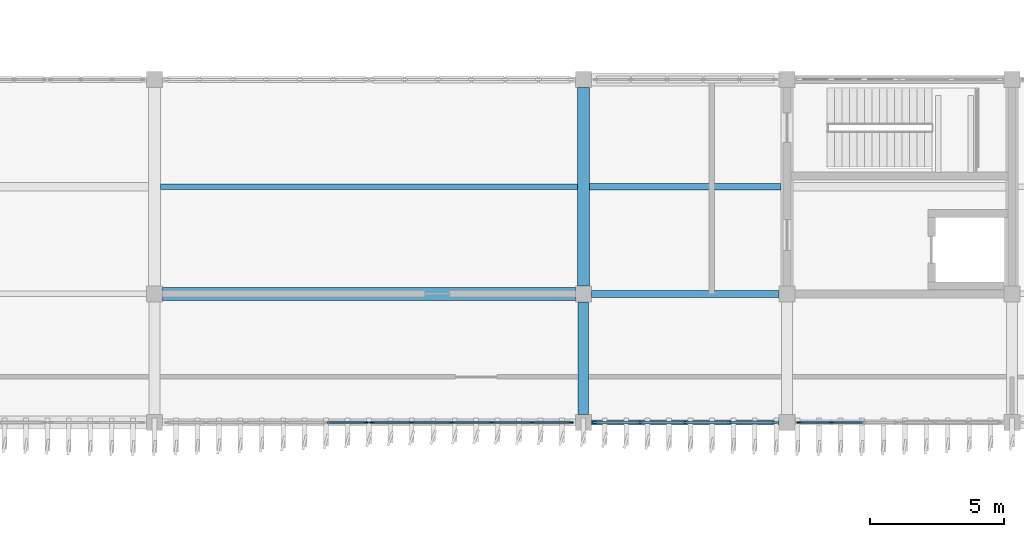
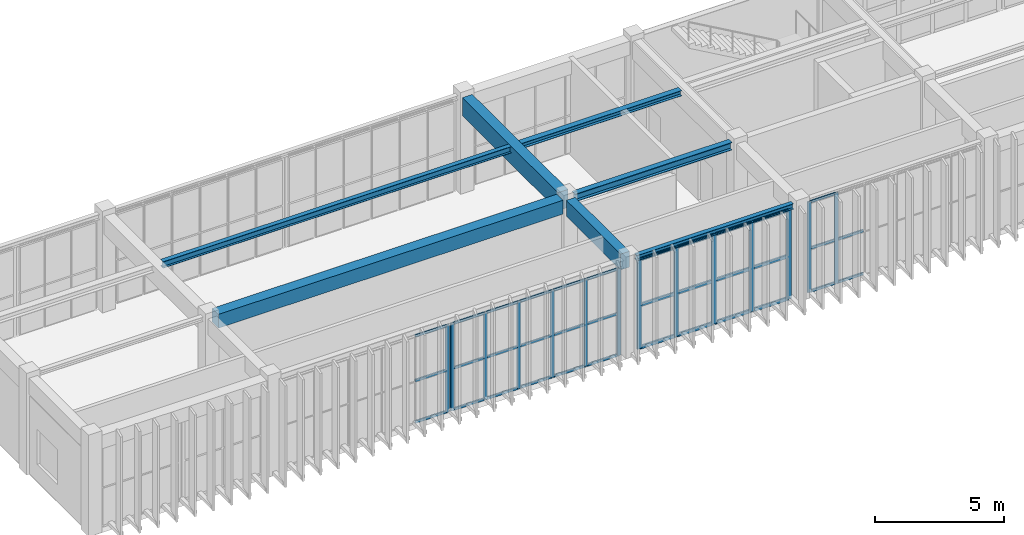
# One storey, part 12 of 64: 49 members, 7 beams, 4 elements without a shape of their own.
"""IFC4 building model written with IfcOpenShell, lengths in metres."""

from ifc_helpers import new_model, si_unit, direction, frame, origin, origin_2d, place, context, subcontext, project, spatial, rectangle, i_section, extrude, material, layer, layer_set, material_profile, profile_set, type_object, element, aggregate, save


model = new_model("IFC4")

# Units and contexts
model_context = context("Model", 3, precision=1e-05, world=origin(), true_north=direction((0.0, 1.0)))
body_context = subcontext(model_context, "Body", "Model", "MODEL_VIEW")
ifc_project = project(units=[si_unit("LENGTHUNIT", "METRE"), si_unit("AREAUNIT", "SQUARE_METRE"), si_unit("VOLUMEUNIT", "CUBIC_METRE"), si_unit("PLANEANGLEUNIT", "RADIAN"), si_unit("MASSUNIT", "GRAM", prefix="KILO")], contexts=[model_context])

# Site, building, storey
site_placement = place(None, origin())
site = spatial("IfcSite", under=ifc_project, at=site_placement, CompositionType="ELEMENT")
building_placement = place(site_placement, origin())
building = spatial("IfcBuilding", under=site, at=building_placement, Name="Cinchona Park Media Centre", CompositionType="ELEMENT")
storey_placement = place(building_placement, frame((0.0, 0.0, 5.39990234375)))
storey = spatial("IfcBuildingStorey", under=building, at=storey_placement, Name="L01", CompositionType="ELEMENT", Elevation=5.39990234375)

# Beams
ifc_material_1 = material(Name="Concrete C35/45", Category="concrete")
ifc_material_profile_1 = material_profile(ifc_material_1, rectangle(XDim=0.39990234375, YDim=0.75, at=origin_2d()), Name="RB 400X750")
ifc_profile_set_1 = profile_set([ifc_material_profile_1], Name="Concrete C35/45")
beam_type_1 = type_object("IfcBeamType", Name="BEAM-B01-RB400X750", PredefinedType="BEAM", material=ifc_profile_set_1)
beam_1_placement = place(storey_placement, frame((78.800048828125, 75.10009765625, 4.1650390625), z_axis=(0.0, 1.0, 0.0), x_axis=(-1.0, 0.0, 0.0)))
element("IfcBeam", 1, at=beam_1_placement, inside=storey, type_object=beam_type_1, Name="Girder B01 L01", PredefinedType="BEAM", context=body_context, shape_type="SweptSolid", body=[
    extrude(rectangle(XDim=0.39990234375, YDim=0.75, at=origin_2d()), origin(), (0.0, 0.0, 1.0), 4.199951171875),
])
ifc_material_2 = material(Name="Concrete C35/45", Category="concrete")
ifc_material_profile_2 = material_profile(ifc_material_2, rectangle(XDim=0.449951171875, YDim=0.85009765625, at=origin_2d()), Name="RB 450X850")
ifc_profile_set_2 = profile_set([ifc_material_profile_2], Name="Concrete C35/45")
beam_type_2 = type_object("IfcBeamType", Name="BEAM-B02-RB450X850", PredefinedType="BEAM", material=ifc_profile_set_2)
beam_2_placement = place(storey_placement, frame((78.800048828125, 79.89990234375, 4.114990234375), z_axis=(0.0, 1.0, 0.0), x_axis=(-1.0, 0.0, 0.0)))
element("IfcBeam", 2, at=beam_2_placement, inside=storey, type_object=beam_type_2, Name="Girder B02 L01", PredefinedType="BEAM", context=body_context, shape_type="SweptSolid", body=[
    extrude(rectangle(XDim=0.449951171875, YDim=0.85009765625, at=origin_2d()), origin(), (0.0, 0.0, 1.0), 7.400146484375),
])
ifc_material_3 = material(Name="Concrete C40/50", Category="concrete")
ifc_material_profile_3 = material_profile(ifc_material_3, rectangle(XDim=0.47998046875, YDim=0.64990234375, at=origin_2d()), Name="RB 480X650")
ifc_profile_set_3 = profile_set([ifc_material_profile_3], Name="Concrete C40/50")
beam_type_3 = type_object("IfcBeamType", Name="BEAM-B07-RB480X650", PredefinedType="BEAM", material=ifc_profile_set_3)
beam_3_placement = place(storey_placement, frame((63.10009765625, 79.60009765625, 4.215087890625), z_axis=(1.0, 0.0, 0.0), x_axis=(0.0, 1.0, 0.0)))
element("IfcBeam", 3, at=beam_3_placement, inside=storey, type_object=beam_type_3, Name="Beam B07 L01", PredefinedType="BEAM", context=body_context, shape_type="SweptSolid", body=[
    extrude(rectangle(XDim=0.47998046875, YDim=0.64990234375, at=origin_2d()), origin(), (0.0, 0.0, 1.0), 15.39990234375),
])
ifc_material_4 = material(Name="Steel S355", Category="steel")
ifc_material_profile_4 = material_profile(ifc_material_4, i_section(OverallWidth=0.257080078125, OverallDepth=0.363037109375, WebThickness=0.012939453125, FlangeThickness=0.021728515625, at=origin_2d()), Name="W360X122")
ifc_profile_set_4 = profile_set([ifc_material_profile_4], Name="Steel S355")
beam_type_4 = type_object("IfcBeamType", Name="BEAM-B08-W360X122", PredefinedType="BEAM", material=ifc_profile_set_4)
beam_4_placement = place(storey_placement, frame((79.10009765625, 79.60009765625, 4.358642578125), z_axis=(1.0, 0.0, 0.0), x_axis=(0.0, 1.0, 0.0)))
element("IfcBeam", 4, at=beam_4_placement, inside=storey, type_object=beam_type_4, Name="Beam B08 L01", PredefinedType="BEAM", context=body_context, shape_type="SweptSolid", body=[
    extrude(i_section(OverallWidth=0.257080078125, OverallDepth=0.363037109375, WebThickness=0.012939453125, FlangeThickness=0.021728515625, at=origin_2d()), origin(), (0.0, 0.0, 1.0), 7.0),
])
ifc_material_5 = material(Name="Steel S355", Category="steel")
ifc_material_profile_5 = material_profile(ifc_material_5, i_section(OverallWidth=0.202880859375, OverallDepth=0.251953125, WebThickness=0.008056640625, FlangeThickness=0.013427734375, at=origin_2d()), Name="W250X58")
ifc_profile_set_5 = profile_set([ifc_material_profile_5], Name="Steel S355")
beam_type_5 = type_object("IfcBeamType", Name="BEAM-B09-W250X58", PredefinedType="BEAM", material=ifc_profile_set_5)
beam_5_placement = place(storey_placement, frame((79.10009765625, 74.800048828125, 4.4140625), z_axis=(1.0, 0.0, 0.0), x_axis=(0.0, 1.0, 0.0)))
element("IfcBeam", 5, at=beam_5_placement, inside=storey, type_object=beam_type_5, Name="Beam B09 L01", PredefinedType="BEAM", context=body_context, shape_type="SweptSolid", body=[
    extrude(i_section(OverallWidth=0.202880859375, OverallDepth=0.251953125, WebThickness=0.008056640625, FlangeThickness=0.013427734375, at=origin_2d()), origin(), (0.0, 0.0, 1.0), 7.0),
])
ifc_material_6 = material(Name="Steel S355", Category="steel")
ifc_material_profile_6 = material_profile(ifc_material_6, i_section(OverallWidth=0.202880859375, OverallDepth=0.302978515625, WebThickness=0.007568359375, FlangeThickness=0.01318359375, at=origin_2d()), Name="W310X60")
ifc_profile_set_6 = profile_set([ifc_material_profile_6], Name="Steel S355")
beam_type_6 = type_object("IfcBeamType", Name="BEAM-J03-W310X60", PredefinedType="JOIST", material=ifc_profile_set_6)
beam_6_placement = place(storey_placement, frame((63.02490234375, 83.60009765625, 4.388671875), z_axis=(1.0, 0.0, 0.0), x_axis=(0.0, 1.0, 0.0)))
element("IfcBeam", 6, at=beam_6_placement, inside=storey, type_object=beam_type_6, Name="Floor Joist J03 L01", PredefinedType="JOIST", context=body_context, shape_type="SweptSolid", body=[
    extrude(i_section(OverallWidth=0.202880859375, OverallDepth=0.302978515625, WebThickness=0.007568359375, FlangeThickness=0.01318359375, at=origin_2d()), origin(), (0.0, 0.0, 1.0), 15.550048828125),
])
ifc_material_7 = material(Name="Steel S355", Category="steel")
ifc_material_profile_7 = material_profile(ifc_material_7, i_section(OverallWidth=0.25390625, OverallDepth=0.2529296875, WebThickness=0.008544921875, FlangeThickness=0.01416015625, at=origin_2d()), Name="W250X73")
ifc_profile_set_7 = profile_set([ifc_material_profile_7], Name="Steel S355")
beam_type_7 = type_object("IfcBeamType", Name="BEAM-J04-W250X73", PredefinedType="JOIST", material=ifc_profile_set_7)
beam_7_placement = place(storey_placement, frame((79.02490234375, 83.60009765625, 4.41357421875), z_axis=(1.0, 0.0, 0.0), x_axis=(0.0, 1.0, 0.0)))
element("IfcBeam", 7, at=beam_7_placement, inside=storey, type_object=beam_type_7, Name="Floor Joist J04 L01", PredefinedType="JOIST", context=body_context, shape_type="SweptSolid", body=[
    extrude(i_section(OverallWidth=0.25390625, OverallDepth=0.2529296875, WebThickness=0.008544921875, FlangeThickness=0.01416015625, at=origin_2d()), origin(), (0.0, 0.0, 1.0), 7.150146484375),
])

# Curtain wall, members
ifc_material_8 = material(Name="Aluminium Curtain Wall Framing", Category="aluminium")
ifc_layer_1 = layer(ifc_material_8, 0.27001953125)
ifc_layer_set_1 = layer_set([ifc_layer_1], Name="Aluminium Curtain Wall Framing")
curtain_wall_type_1 = type_object("IfcCurtainWallType", Name="CW-CW07", PredefinedType="USERDEFINED", material=ifc_layer_set_1)
curtain_wall_1_placement = place(storey_placement, origin())
curtain_wall_1 = element("IfcCurtainWall", 8, at=curtain_wall_1_placement, inside=storey, type_object=curtain_wall_type_1, Name="Curtain Wall CW07 L01", ObjectType="UNITISED CURTAIN WALL", PredefinedType="USERDEFINED")
ifc_material_9 = material(Name="Anodised Aluminium Alloy 6063-T6", Category="aluminium")
ifc_material_profile_8 = material_profile(ifc_material_9, rectangle(XDim=0.06494140625, YDim=0.159912109375, at=origin_2d()), Name="MUL-65X160")
ifc_profile_set_8 = profile_set([ifc_material_profile_8], Name="Anodised Aluminium Alloy 6063-T6")
member_type_1 = type_object("IfcMemberType", Name="MULLION-MUL01", PredefinedType="MULLION", material=ifc_profile_set_8)
member_1_placement = place(storey_placement, frame((78.347412109375, 74.800048828125, 0.050048828125), z_axis=(0.0, 0.0, 1.0), x_axis=(0.0, -1.0, 0.0)))
member_1 = element("IfcMember", 9, at=member_1_placement, type_object=member_type_1, Name="CW07 mullion 1", PredefinedType="MULLION", context=body_context, shape_type="SweptSolid", body=[
    extrude(rectangle(XDim=0.06494140625, YDim=0.159912109375, at=origin_2d()), origin(), (0.0, 0.0, 1.0), 4.126953125),
])
member_2_placement = place(storey_placement, frame((76.8798828125, 74.800048828125, 0.050048828125), z_axis=(0.0, 0.0, 1.0), x_axis=(0.0, -1.0, 0.0)))
member_2 = element("IfcMember", 10, at=member_2_placement, type_object=member_type_1, Name="CW07 mullion 2", PredefinedType="MULLION", context=body_context, shape_type="SweptSolid", body=[
    extrude(rectangle(XDim=0.06494140625, YDim=0.159912109375, at=origin_2d()), origin(), (0.0, 0.0, 1.0), 4.126953125),
])
member_3_placement = place(storey_placement, frame((75.3798828125, 74.800048828125, 0.050048828125), z_axis=(0.0, 0.0, 1.0), x_axis=(0.0, -1.0, 0.0)))
member_3 = element("IfcMember", 11, at=member_3_placement, type_object=member_type_1, Name="CW07 mullion 3", PredefinedType="MULLION", context=body_context, shape_type="SweptSolid", body=[
    extrude(rectangle(XDim=0.06494140625, YDim=0.159912109375, at=origin_2d()), origin(), (0.0, 0.0, 1.0), 4.126953125),
])
member_4_placement = place(storey_placement, frame((73.8798828125, 74.800048828125, 0.050048828125), z_axis=(0.0, 0.0, 1.0), x_axis=(0.0, -1.0, 0.0)))
member_4 = element("IfcMember", 12, at=member_4_placement, type_object=member_type_1, Name="CW07 mullion 4", PredefinedType="MULLION", context=body_context, shape_type="SweptSolid", body=[
    extrude(rectangle(XDim=0.06494140625, YDim=0.159912109375, at=origin_2d()), origin(), (0.0, 0.0, 1.0), 4.126953125),
])
member_5_placement = place(storey_placement, frame((72.3798828125, 74.800048828125, 0.050048828125), z_axis=(0.0, 0.0, 1.0), x_axis=(0.0, -1.0, 0.0)))
member_5 = element("IfcMember", 13, at=member_5_placement, type_object=member_type_1, Name="CW07 mullion 5", PredefinedType="MULLION", context=body_context, shape_type="SweptSolid", body=[
    extrude(rectangle(XDim=0.06494140625, YDim=0.159912109375, at=origin_2d()), origin(), (0.0, 0.0, 1.0), 4.126953125),
])
member_6_placement = place(storey_placement, frame((70.91259765625, 74.800048828125, 0.050048828125), z_axis=(0.0, 0.0, 1.0), x_axis=(0.0, -1.0, 0.0)))
member_6 = element("IfcMember", 14, at=member_6_placement, type_object=member_type_1, Name="CW07 mullion 6", PredefinedType="MULLION", context=body_context, shape_type="SweptSolid", body=[
    extrude(rectangle(XDim=0.06494140625, YDim=0.159912109375, at=origin_2d()), origin(), (0.0, 0.0, 1.0), 4.126953125),
])

# Curtain wall, member
ifc_material_10 = material(Name="Aluminium Curtain Wall Framing", Category="aluminium")
ifc_layer_2 = layer(ifc_material_10, 0.284912109375)
ifc_layer_set_2 = layer_set([ifc_layer_2], Name="Aluminium Curtain Wall Framing")
curtain_wall_type_2 = type_object("IfcCurtainWallType", Name="CW-CW08", PredefinedType="USERDEFINED", material=ifc_layer_set_2)
curtain_wall_2_placement = place(storey_placement, origin())
curtain_wall_2 = element("IfcCurtainWall", 15, at=curtain_wall_2_placement, inside=storey, type_object=curtain_wall_type_2, Name="Curtain Wall CW08 L01", ObjectType="UNITISED CURTAIN WALL", PredefinedType="USERDEFINED")
member_7_placement = place(storey_placement, frame((70.6875, 74.800048828125, 0.050048828125), z_axis=(0.0, 0.0, 1.0), x_axis=(0.0, -1.0, 0.0)))
member_7 = element("IfcMember", 16, at=member_7_placement, type_object=member_type_1, Name="CW08 mullion 1", PredefinedType="MULLION", context=body_context, shape_type="SweptSolid", body=[
    extrude(rectangle(XDim=0.06494140625, YDim=0.159912109375, at=origin_2d()), origin(), (0.0, 0.0, 1.0), 4.126953125),
])

# Curtain wall, members
ifc_material_11 = material(Name="Aluminium Curtain Wall Framing", Category="aluminium")
ifc_layer_3 = layer(ifc_material_11, 0.195068359375)
ifc_layer_set_3 = layer_set([ifc_layer_3], Name="Aluminium Curtain Wall Framing")
curtain_wall_type_3 = type_object("IfcCurtainWallType", Name="CW-CW02", PredefinedType="USERDEFINED", material=ifc_layer_set_3)
curtain_wall_3_placement = place(storey_placement, origin())
curtain_wall_3 = element("IfcCurtainWall", 17, at=curtain_wall_3_placement, inside=storey, type_object=curtain_wall_type_3, Name="Curtain Wall CW02 L01", ObjectType="UNITISED CURTAIN WALL", PredefinedType="USERDEFINED")
member_8_placement = place(storey_placement, frame((88.05322265625, 74.800048828125, 0.050048828125), z_axis=(0.0, 0.0, 1.0), x_axis=(0.0, -1.0, 0.0)))
member_8 = element("IfcMember", 18, at=member_8_placement, type_object=member_type_1, Name="CW02 mullion 3", PredefinedType="MULLION", context=body_context, shape_type="SweptSolid", body=[
    extrude(rectangle(XDim=0.06494140625, YDim=0.159912109375, at=origin_2d()), origin(), (0.0, 0.0, 1.0), 4.287109375),
])
member_9_placement = place(storey_placement, frame((86.8525390625, 74.800048828125, 0.050048828125), z_axis=(0.0, 0.0, 1.0), x_axis=(0.0, -1.0, 0.0)))
member_9 = element("IfcMember", 19, at=member_9_placement, type_object=member_type_1, Name="CW02 mullion 4", PredefinedType="MULLION", context=body_context, shape_type="SweptSolid", body=[
    extrude(rectangle(XDim=0.06494140625, YDim=0.159912109375, at=origin_2d()), origin(), (0.0, 0.0, 1.0), 4.287109375),
])

ifc_material_12 = material(Name="Aluminium Curtain Wall Framing", Category="aluminium")
ifc_layer_4 = layer(ifc_material_12, 0.300048828125)
ifc_layer_set_4 = layer_set([ifc_layer_4], Name="Aluminium Curtain Wall Framing")
curtain_wall_type_4 = type_object("IfcCurtainWallType", Name="CW-CW09", PredefinedType="USERDEFINED", material=ifc_layer_set_4)
curtain_wall_4_placement = place(storey_placement, origin())
curtain_wall_4 = element("IfcCurtainWall", 20, at=curtain_wall_4_placement, inside=storey, type_object=curtain_wall_type_4, Name="Curtain Wall CW09 L01", ObjectType="UNITISED CURTAIN WALL", PredefinedType="USERDEFINED")
ifc_material_13 = material(Name="Anodised Aluminium Alloy 6063-T6", Category="aluminium")
ifc_material_profile_9 = material_profile(ifc_material_13, rectangle(XDim=0.074951171875, YDim=0.2099609375, at=origin_2d()), Name="MUL-75X210")
ifc_profile_set_9 = profile_set([ifc_material_profile_9], Name="Anodised Aluminium Alloy 6063-T6")
member_type_2 = type_object("IfcMemberType", Name="MULLION-MUL03", PredefinedType="MULLION", material=ifc_profile_set_9)
member_10_placement = place(storey_placement, frame((85.9423828125, 74.800048828125, 0.050048828125), z_axis=(0.0, 0.0, 1.0), x_axis=(0.0, -1.0, 0.0)))
member_10 = element("IfcMember", 21, at=member_10_placement, type_object=member_type_2, Name="CW09 mullion 1", PredefinedType="MULLION", context=body_context, shape_type="SweptSolid", body=[
    extrude(rectangle(XDim=0.074951171875, YDim=0.2099609375, at=origin_2d()), origin(), (0.0, 0.0, 1.0), 4.238037109375),
])
member_11_placement = place(storey_placement, frame((84.2900390625, 74.800048828125, 0.050048828125), z_axis=(0.0, 0.0, 1.0), x_axis=(0.0, -1.0, 0.0)))
member_11 = element("IfcMember", 22, at=member_11_placement, type_object=member_type_2, Name="CW09 mullion 2", PredefinedType="MULLION", context=body_context, shape_type="SweptSolid", body=[
    extrude(rectangle(XDim=0.074951171875, YDim=0.2099609375, at=origin_2d()), origin(), (0.0, 0.0, 1.0), 4.238037109375),
])
member_12_placement = place(storey_placement, frame((82.60009765625, 74.800048828125, 0.050048828125), z_axis=(0.0, 0.0, 1.0), x_axis=(0.0, -1.0, 0.0)))
member_12 = element("IfcMember", 23, at=member_12_placement, type_object=member_type_2, Name="CW09 mullion 3", PredefinedType="MULLION", context=body_context, shape_type="SweptSolid", body=[
    extrude(rectangle(XDim=0.074951171875, YDim=0.2099609375, at=origin_2d()), origin(), (0.0, 0.0, 1.0), 4.238037109375),
])
member_13_placement = place(storey_placement, frame((80.909912109375, 74.800048828125, 0.050048828125), z_axis=(0.0, 0.0, 1.0), x_axis=(0.0, -1.0, 0.0)))
member_13 = element("IfcMember", 24, at=member_13_placement, type_object=member_type_2, Name="CW09 mullion 4", PredefinedType="MULLION", context=body_context, shape_type="SweptSolid", body=[
    extrude(rectangle(XDim=0.074951171875, YDim=0.2099609375, at=origin_2d()), origin(), (0.0, 0.0, 1.0), 4.238037109375),
])
member_14_placement = place(storey_placement, frame((79.257568359375, 74.800048828125, 0.050048828125), z_axis=(0.0, 0.0, 1.0), x_axis=(0.0, -1.0, 0.0)))
member_14 = element("IfcMember", 25, at=member_14_placement, type_object=member_type_2, Name="CW09 mullion 5", PredefinedType="MULLION", context=body_context, shape_type="SweptSolid", body=[
    extrude(rectangle(XDim=0.074951171875, YDim=0.2099609375, at=origin_2d()), origin(), (0.0, 0.0, 1.0), 4.238037109375),
])

# Member
ifc_material_14 = material(Name="Anodised Aluminium Alloy 6063-T6", Category="aluminium")
ifc_material_profile_10 = material_profile(ifc_material_14, rectangle(XDim=0.06494140625, YDim=0.1201171875, at=origin_2d()), Name="TRN-65X120")
ifc_profile_set_10 = profile_set([ifc_material_profile_10], Name="Anodised Aluminium Alloy 6063-T6")
member_type_3 = type_object("IfcMemberType", Name="TRANSOM-TRN01", PredefinedType="USERDEFINED", material=ifc_profile_set_10)
member_15_placement = place(storey_placement, frame((78.31494140625, 74.800048828125, 0.08251953125), z_axis=(-1.0, 0.0, 0.0), x_axis=(0.0, -1.0, 0.0)))
member_15 = element("IfcMember", 26, at=member_15_placement, type_object=member_type_3, Name="CW07 transom 1.1", ObjectType="TRANSOM", PredefinedType="USERDEFINED", context=body_context, shape_type="SweptSolid", body=[
    extrude(rectangle(XDim=0.06494140625, YDim=0.1201171875, at=origin_2d()), origin(), (0.0, 0.0, 1.0), 1.40234375),
])

member_16_placement = place(storey_placement, frame((78.31494140625, 74.800048828125, 2.031005859375), z_axis=(-1.0, 0.0, 0.0), x_axis=(0.0, -1.0, 0.0)))
member_16 = element("IfcMember", 27, at=member_16_placement, type_object=member_type_3, Name="CW07 transom 1.2", ObjectType="TRANSOM", PredefinedType="USERDEFINED", context=body_context, shape_type="SweptSolid", body=[
    extrude(rectangle(XDim=0.06494140625, YDim=0.1201171875, at=origin_2d()), origin(), (0.0, 0.0, 1.0), 1.40234375),
])

member_17_placement = place(storey_placement, frame((78.31494140625, 74.800048828125, 4.14453125), z_axis=(-1.0, 0.0, 0.0), x_axis=(0.0, -1.0, 0.0)))
member_17 = element("IfcMember", 28, at=member_17_placement, type_object=member_type_3, Name="CW07 transom 1.3", ObjectType="TRANSOM", PredefinedType="USERDEFINED", context=body_context, shape_type="SweptSolid", body=[
    extrude(rectangle(XDim=0.06494140625, YDim=0.1201171875, at=origin_2d()), origin(), (0.0, 0.0, 1.0), 1.40234375),
])

member_18_placement = place(storey_placement, frame((76.847412109375, 74.800048828125, 0.08251953125), z_axis=(-1.0, 0.0, 0.0), x_axis=(0.0, -1.0, 0.0)))
member_18 = element("IfcMember", 29, at=member_18_placement, type_object=member_type_3, Name="CW07 transom 2.1", ObjectType="TRANSOM", PredefinedType="USERDEFINED", context=body_context, shape_type="SweptSolid", body=[
    extrude(rectangle(XDim=0.06494140625, YDim=0.1201171875, at=origin_2d()), origin(), (0.0, 0.0, 1.0), 1.434814453125),
])

member_19_placement = place(storey_placement, frame((76.847412109375, 74.800048828125, 2.031005859375), z_axis=(-1.0, 0.0, 0.0), x_axis=(0.0, -1.0, 0.0)))
member_19 = element("IfcMember", 30, at=member_19_placement, type_object=member_type_3, Name="CW07 transom 2.2", ObjectType="TRANSOM", PredefinedType="USERDEFINED", context=body_context, shape_type="SweptSolid", body=[
    extrude(rectangle(XDim=0.06494140625, YDim=0.1201171875, at=origin_2d()), origin(), (0.0, 0.0, 1.0), 1.434814453125),
])

member_20_placement = place(storey_placement, frame((76.847412109375, 74.800048828125, 4.14453125), z_axis=(-1.0, 0.0, 0.0), x_axis=(0.0, -1.0, 0.0)))
member_20 = element("IfcMember", 31, at=member_20_placement, type_object=member_type_3, Name="CW07 transom 2.3", ObjectType="TRANSOM", PredefinedType="USERDEFINED", context=body_context, shape_type="SweptSolid", body=[
    extrude(rectangle(XDim=0.06494140625, YDim=0.1201171875, at=origin_2d()), origin(), (0.0, 0.0, 1.0), 1.434814453125),
])

member_21_placement = place(storey_placement, frame((75.347412109375, 74.800048828125, 0.08251953125), z_axis=(-1.0, 0.0, 0.0), x_axis=(0.0, -1.0, 0.0)))
member_21 = element("IfcMember", 32, at=member_21_placement, type_object=member_type_3, Name="CW07 transom 3.1", ObjectType="TRANSOM", PredefinedType="USERDEFINED", context=body_context, shape_type="SweptSolid", body=[
    extrude(rectangle(XDim=0.06494140625, YDim=0.1201171875, at=origin_2d()), origin(), (0.0, 0.0, 1.0), 1.434814453125),
])

member_22_placement = place(storey_placement, frame((75.347412109375, 74.800048828125, 2.031005859375), z_axis=(-1.0, 0.0, 0.0), x_axis=(0.0, -1.0, 0.0)))
member_22 = element("IfcMember", 33, at=member_22_placement, type_object=member_type_3, Name="CW07 transom 3.2", ObjectType="TRANSOM", PredefinedType="USERDEFINED", context=body_context, shape_type="SweptSolid", body=[
    extrude(rectangle(XDim=0.06494140625, YDim=0.1201171875, at=origin_2d()), origin(), (0.0, 0.0, 1.0), 1.434814453125),
])

member_23_placement = place(storey_placement, frame((75.347412109375, 74.800048828125, 4.14453125), z_axis=(-1.0, 0.0, 0.0), x_axis=(0.0, -1.0, 0.0)))
member_23 = element("IfcMember", 34, at=member_23_placement, type_object=member_type_3, Name="CW07 transom 3.3", ObjectType="TRANSOM", PredefinedType="USERDEFINED", context=body_context, shape_type="SweptSolid", body=[
    extrude(rectangle(XDim=0.06494140625, YDim=0.1201171875, at=origin_2d()), origin(), (0.0, 0.0, 1.0), 1.434814453125),
])

member_24_placement = place(storey_placement, frame((73.847412109375, 74.800048828125, 0.08251953125), z_axis=(-1.0, 0.0, 0.0), x_axis=(0.0, -1.0, 0.0)))
member_24 = element("IfcMember", 35, at=member_24_placement, type_object=member_type_3, Name="CW07 transom 4.1", ObjectType="TRANSOM", PredefinedType="USERDEFINED", context=body_context, shape_type="SweptSolid", body=[
    extrude(rectangle(XDim=0.06494140625, YDim=0.1201171875, at=origin_2d()), origin(), (0.0, 0.0, 1.0), 1.434814453125),
])

member_25_placement = place(storey_placement, frame((73.847412109375, 74.800048828125, 2.031005859375), z_axis=(-1.0, 0.0, 0.0), x_axis=(0.0, -1.0, 0.0)))
member_25 = element("IfcMember", 36, at=member_25_placement, type_object=member_type_3, Name="CW07 transom 4.2", ObjectType="TRANSOM", PredefinedType="USERDEFINED", context=body_context, shape_type="SweptSolid", body=[
    extrude(rectangle(XDim=0.06494140625, YDim=0.1201171875, at=origin_2d()), origin(), (0.0, 0.0, 1.0), 1.434814453125),
])

member_26_placement = place(storey_placement, frame((73.847412109375, 74.800048828125, 4.14453125), z_axis=(-1.0, 0.0, 0.0), x_axis=(0.0, -1.0, 0.0)))
member_26 = element("IfcMember", 37, at=member_26_placement, type_object=member_type_3, Name="CW07 transom 4.3", ObjectType="TRANSOM", PredefinedType="USERDEFINED", context=body_context, shape_type="SweptSolid", body=[
    extrude(rectangle(XDim=0.06494140625, YDim=0.1201171875, at=origin_2d()), origin(), (0.0, 0.0, 1.0), 1.434814453125),
])

member_27_placement = place(storey_placement, frame((72.347412109375, 74.800048828125, 0.08251953125), z_axis=(-1.0, 0.0, 0.0), x_axis=(0.0, -1.0, 0.0)))
member_27 = element("IfcMember", 38, at=member_27_placement, type_object=member_type_3, Name="CW07 transom 5.1", ObjectType="TRANSOM", PredefinedType="USERDEFINED", context=body_context, shape_type="SweptSolid", body=[
    extrude(rectangle(XDim=0.06494140625, YDim=0.1201171875, at=origin_2d()), origin(), (0.0, 0.0, 1.0), 1.40234375),
])

member_28_placement = place(storey_placement, frame((72.347412109375, 74.800048828125, 2.031005859375), z_axis=(-1.0, 0.0, 0.0), x_axis=(0.0, -1.0, 0.0)))
member_28 = element("IfcMember", 39, at=member_28_placement, type_object=member_type_3, Name="CW07 transom 5.2", ObjectType="TRANSOM", PredefinedType="USERDEFINED", context=body_context, shape_type="SweptSolid", body=[
    extrude(rectangle(XDim=0.06494140625, YDim=0.1201171875, at=origin_2d()), origin(), (0.0, 0.0, 1.0), 1.40234375),
])

member_29_placement = place(storey_placement, frame((72.347412109375, 74.800048828125, 4.14453125), z_axis=(-1.0, 0.0, 0.0), x_axis=(0.0, -1.0, 0.0)))
member_29 = element("IfcMember", 40, at=member_29_placement, type_object=member_type_3, Name="CW07 transom 5.3", ObjectType="TRANSOM", PredefinedType="USERDEFINED", context=body_context, shape_type="SweptSolid", body=[
    extrude(rectangle(XDim=0.06494140625, YDim=0.1201171875, at=origin_2d()), origin(), (0.0, 0.0, 1.0), 1.40234375),
])

aggregate(curtain_wall_1, [member_1, member_2, member_3, member_4, member_5, member_6, member_15, member_16, member_17, member_18, member_19, member_20, member_21, member_22, member_23, member_24, member_25, member_26, member_27, member_28, member_29])

member_30_placement = place(storey_placement, frame((70.655029296875, 74.800048828125, 0.08251953125), z_axis=(-1.0, 0.0, 0.0), x_axis=(0.0, -1.0, 0.0)))
member_30 = element("IfcMember", 41, at=member_30_placement, type_object=member_type_3, Name="CW08 transom 1.1", ObjectType="TRANSOM", PredefinedType="USERDEFINED", context=body_context, shape_type="SweptSolid", body=[
    extrude(rectangle(XDim=0.06494140625, YDim=0.1201171875, at=origin_2d()), origin(), (0.0, 0.0, 1.0), 1.402587890625),
])

member_31_placement = place(storey_placement, frame((70.655029296875, 74.800048828125, 2.031005859375), z_axis=(-1.0, 0.0, 0.0), x_axis=(0.0, -1.0, 0.0)))
member_31 = element("IfcMember", 42, at=member_31_placement, type_object=member_type_3, Name="CW08 transom 1.2", ObjectType="TRANSOM", PredefinedType="USERDEFINED", context=body_context, shape_type="SweptSolid", body=[
    extrude(rectangle(XDim=0.06494140625, YDim=0.1201171875, at=origin_2d()), origin(), (0.0, 0.0, 1.0), 1.402587890625),
])

member_32_placement = place(storey_placement, frame((70.655029296875, 74.800048828125, 4.14453125), z_axis=(-1.0, 0.0, 0.0), x_axis=(0.0, -1.0, 0.0)))
member_32 = element("IfcMember", 43, at=member_32_placement, type_object=member_type_3, Name="CW08 transom 1.3", ObjectType="TRANSOM", PredefinedType="USERDEFINED", context=body_context, shape_type="SweptSolid", body=[
    extrude(rectangle(XDim=0.06494140625, YDim=0.1201171875, at=origin_2d()), origin(), (0.0, 0.0, 1.0), 1.402587890625),
])

aggregate(curtain_wall_2, [member_7, member_30, member_31, member_32])

member_33_placement = place(storey_placement, frame((89.254150390625, 74.800048828125, 0.08251953125), z_axis=(-1.0, 0.0, 0.0), x_axis=(0.0, -1.0, 0.0)))
member_33 = element("IfcMember", 44, at=member_33_placement, type_object=member_type_3, Name="CW02 transom 2.1", ObjectType="TRANSOM", PredefinedType="USERDEFINED", context=body_context, shape_type="SweptSolid", body=[
    extrude(rectangle(XDim=0.06494140625, YDim=0.1201171875, at=origin_2d()), origin(), (0.0, 0.0, 1.0), 1.168212890625),
])

member_34_placement = place(storey_placement, frame((89.254150390625, 74.800048828125, 2.108154296875), z_axis=(-1.0, 0.0, 0.0), x_axis=(0.0, -1.0, 0.0)))
member_34 = element("IfcMember", 45, at=member_34_placement, type_object=member_type_3, Name="CW02 transom 2.2", ObjectType="TRANSOM", PredefinedType="USERDEFINED", context=body_context, shape_type="SweptSolid", body=[
    extrude(rectangle(XDim=0.06494140625, YDim=0.1201171875, at=origin_2d()), origin(), (0.0, 0.0, 1.0), 1.168212890625),
])

member_35_placement = place(storey_placement, frame((88.020751953125, 74.800048828125, 0.08251953125), z_axis=(-1.0, 0.0, 0.0), x_axis=(0.0, -1.0, 0.0)))
member_35 = element("IfcMember", 46, at=member_35_placement, type_object=member_type_3, Name="CW02 transom 3.1", ObjectType="TRANSOM", PredefinedType="USERDEFINED", context=body_context, shape_type="SweptSolid", body=[
    extrude(rectangle(XDim=0.06494140625, YDim=0.1201171875, at=origin_2d()), origin(), (0.0, 0.0, 1.0), 1.1357421875),
])

member_36_placement = place(storey_placement, frame((88.020751953125, 74.800048828125, 2.108154296875), z_axis=(-1.0, 0.0, 0.0), x_axis=(0.0, -1.0, 0.0)))
member_36 = element("IfcMember", 47, at=member_36_placement, type_object=member_type_3, Name="CW02 transom 3.2", ObjectType="TRANSOM", PredefinedType="USERDEFINED", context=body_context, shape_type="SweptSolid", body=[
    extrude(rectangle(XDim=0.06494140625, YDim=0.1201171875, at=origin_2d()), origin(), (0.0, 0.0, 1.0), 1.1357421875),
])

member_37_placement = place(storey_placement, frame((88.020751953125, 74.800048828125, 4.3046875), z_axis=(-1.0, 0.0, 0.0), x_axis=(0.0, -1.0, 0.0)))
member_37 = element("IfcMember", 48, at=member_37_placement, type_object=member_type_3, Name="CW02 transom 3.3", ObjectType="TRANSOM", PredefinedType="USERDEFINED", context=body_context, shape_type="SweptSolid", body=[
    extrude(rectangle(XDim=0.06494140625, YDim=0.1201171875, at=origin_2d()), origin(), (0.0, 0.0, 1.0), 1.1357421875),
])

aggregate(curtain_wall_3, [member_8, member_9, member_33, member_34, member_35, member_36, member_37])

ifc_material_15 = material(Name="Anodised Aluminium Alloy 6063-T6", Category="aluminium")
ifc_material_profile_11 = material_profile(ifc_material_15, rectangle(XDim=0.074951171875, YDim=0.159912109375, at=origin_2d()), Name="TRN-75X160")
ifc_profile_set_11 = profile_set([ifc_material_profile_11], Name="Anodised Aluminium Alloy 6063-T6")
member_type_4 = type_object("IfcMemberType", Name="TRANSOM-TRN03", PredefinedType="USERDEFINED", material=ifc_profile_set_11)
member_38_placement = place(storey_placement, frame((85.905029296875, 74.800048828125, 0.087646484375), z_axis=(-1.0, 0.0, 0.0), x_axis=(0.0, -1.0, 0.0)))
member_38 = element("IfcMember", 49, at=member_38_placement, type_object=member_type_4, Name="CW09 transom 1.1", ObjectType="TRANSOM", PredefinedType="USERDEFINED", context=body_context, shape_type="SweptSolid", body=[
    extrude(rectangle(XDim=0.074951171875, YDim=0.159912109375, at=origin_2d()), origin(), (0.0, 0.0, 1.0), 1.57763671875),
])

member_39_placement = place(storey_placement, frame((85.905029296875, 74.800048828125, 2.083984375), z_axis=(-1.0, 0.0, 0.0), x_axis=(0.0, -1.0, 0.0)))
member_39 = element("IfcMember", 50, at=member_39_placement, type_object=member_type_4, Name="CW09 transom 1.2", ObjectType="TRANSOM", PredefinedType="USERDEFINED", context=body_context, shape_type="SweptSolid", body=[
    extrude(rectangle(XDim=0.074951171875, YDim=0.159912109375, at=origin_2d()), origin(), (0.0, 0.0, 1.0), 1.57763671875),
])

member_40_placement = place(storey_placement, frame((85.905029296875, 74.800048828125, 4.25048828125), z_axis=(-1.0, 0.0, 0.0), x_axis=(0.0, -1.0, 0.0)))
member_40 = element("IfcMember", 51, at=member_40_placement, type_object=member_type_4, Name="CW09 transom 1.3", ObjectType="TRANSOM", PredefinedType="USERDEFINED", context=body_context, shape_type="SweptSolid", body=[
    extrude(rectangle(XDim=0.074951171875, YDim=0.159912109375, at=origin_2d()), origin(), (0.0, 0.0, 1.0), 1.57763671875),
])

member_41_placement = place(storey_placement, frame((84.25244140625, 74.800048828125, 0.087646484375), z_axis=(-1.0, 0.0, 0.0), x_axis=(0.0, -1.0, 0.0)))
member_41 = element("IfcMember", 52, at=member_41_placement, type_object=member_type_4, Name="CW09 transom 2.1", ObjectType="TRANSOM", PredefinedType="USERDEFINED", context=body_context, shape_type="SweptSolid", body=[
    extrude(rectangle(XDim=0.074951171875, YDim=0.159912109375, at=origin_2d()), origin(), (0.0, 0.0, 1.0), 1.614990234375),
])

member_42_placement = place(storey_placement, frame((84.25244140625, 74.800048828125, 2.083984375), z_axis=(-1.0, 0.0, 0.0), x_axis=(0.0, -1.0, 0.0)))
member_42 = element("IfcMember", 53, at=member_42_placement, type_object=member_type_4, Name="CW09 transom 2.2", ObjectType="TRANSOM", PredefinedType="USERDEFINED", context=body_context, shape_type="SweptSolid", body=[
    extrude(rectangle(XDim=0.074951171875, YDim=0.159912109375, at=origin_2d()), origin(), (0.0, 0.0, 1.0), 1.614990234375),
])

member_43_placement = place(storey_placement, frame((84.25244140625, 74.800048828125, 4.25048828125), z_axis=(-1.0, 0.0, 0.0), x_axis=(0.0, -1.0, 0.0)))
member_43 = element("IfcMember", 54, at=member_43_placement, type_object=member_type_4, Name="CW09 transom 2.3", ObjectType="TRANSOM", PredefinedType="USERDEFINED", context=body_context, shape_type="SweptSolid", body=[
    extrude(rectangle(XDim=0.074951171875, YDim=0.159912109375, at=origin_2d()), origin(), (0.0, 0.0, 1.0), 1.614990234375),
])

member_44_placement = place(storey_placement, frame((82.5625, 74.800048828125, 0.087646484375), z_axis=(-1.0, 0.0, 0.0), x_axis=(0.0, -1.0, 0.0)))
member_44 = element("IfcMember", 55, at=member_44_placement, type_object=member_type_4, Name="CW09 transom 3.1", ObjectType="TRANSOM", PredefinedType="USERDEFINED", context=body_context, shape_type="SweptSolid", body=[
    extrude(rectangle(XDim=0.074951171875, YDim=0.159912109375, at=origin_2d()), origin(), (0.0, 0.0, 1.0), 1.614990234375),
])

member_45_placement = place(storey_placement, frame((82.5625, 74.800048828125, 2.083984375), z_axis=(-1.0, 0.0, 0.0), x_axis=(0.0, -1.0, 0.0)))
member_45 = element("IfcMember", 56, at=member_45_placement, type_object=member_type_4, Name="CW09 transom 3.2", ObjectType="TRANSOM", PredefinedType="USERDEFINED", context=body_context, shape_type="SweptSolid", body=[
    extrude(rectangle(XDim=0.074951171875, YDim=0.159912109375, at=origin_2d()), origin(), (0.0, 0.0, 1.0), 1.614990234375),
])

member_46_placement = place(storey_placement, frame((82.5625, 74.800048828125, 4.25048828125), z_axis=(-1.0, 0.0, 0.0), x_axis=(0.0, -1.0, 0.0)))
member_46 = element("IfcMember", 57, at=member_46_placement, type_object=member_type_4, Name="CW09 transom 3.3", ObjectType="TRANSOM", PredefinedType="USERDEFINED", context=body_context, shape_type="SweptSolid", body=[
    extrude(rectangle(XDim=0.074951171875, YDim=0.159912109375, at=origin_2d()), origin(), (0.0, 0.0, 1.0), 1.614990234375),
])

member_47_placement = place(storey_placement, frame((80.87255859375, 74.800048828125, 0.087646484375), z_axis=(-1.0, 0.0, 0.0), x_axis=(0.0, -1.0, 0.0)))
member_47 = element("IfcMember", 58, at=member_47_placement, type_object=member_type_4, Name="CW09 transom 4.1", ObjectType="TRANSOM", PredefinedType="USERDEFINED", context=body_context, shape_type="SweptSolid", body=[
    extrude(rectangle(XDim=0.074951171875, YDim=0.159912109375, at=origin_2d()), origin(), (0.0, 0.0, 1.0), 1.57763671875),
])

member_48_placement = place(storey_placement, frame((80.87255859375, 74.800048828125, 2.083984375), z_axis=(-1.0, 0.0, 0.0), x_axis=(0.0, -1.0, 0.0)))
member_48 = element("IfcMember", 59, at=member_48_placement, type_object=member_type_4, Name="CW09 transom 4.2", ObjectType="TRANSOM", PredefinedType="USERDEFINED", context=body_context, shape_type="SweptSolid", body=[
    extrude(rectangle(XDim=0.074951171875, YDim=0.159912109375, at=origin_2d()), origin(), (0.0, 0.0, 1.0), 1.57763671875),
])

member_49_placement = place(storey_placement, frame((80.87255859375, 74.800048828125, 4.25048828125), z_axis=(-1.0, 0.0, 0.0), x_axis=(0.0, -1.0, 0.0)))
member_49 = element("IfcMember", 60, at=member_49_placement, type_object=member_type_4, Name="CW09 transom 4.3", ObjectType="TRANSOM", PredefinedType="USERDEFINED", context=body_context, shape_type="SweptSolid", body=[
    extrude(rectangle(XDim=0.074951171875, YDim=0.159912109375, at=origin_2d()), origin(), (0.0, 0.0, 1.0), 1.57763671875),
])

aggregate(curtain_wall_4, [member_10, member_11, member_12, member_13, member_14, member_38, member_39, member_40, member_41, member_42, member_43, member_44, member_45, member_46, member_47, member_48, member_49])

save(model, "model.ifc")
